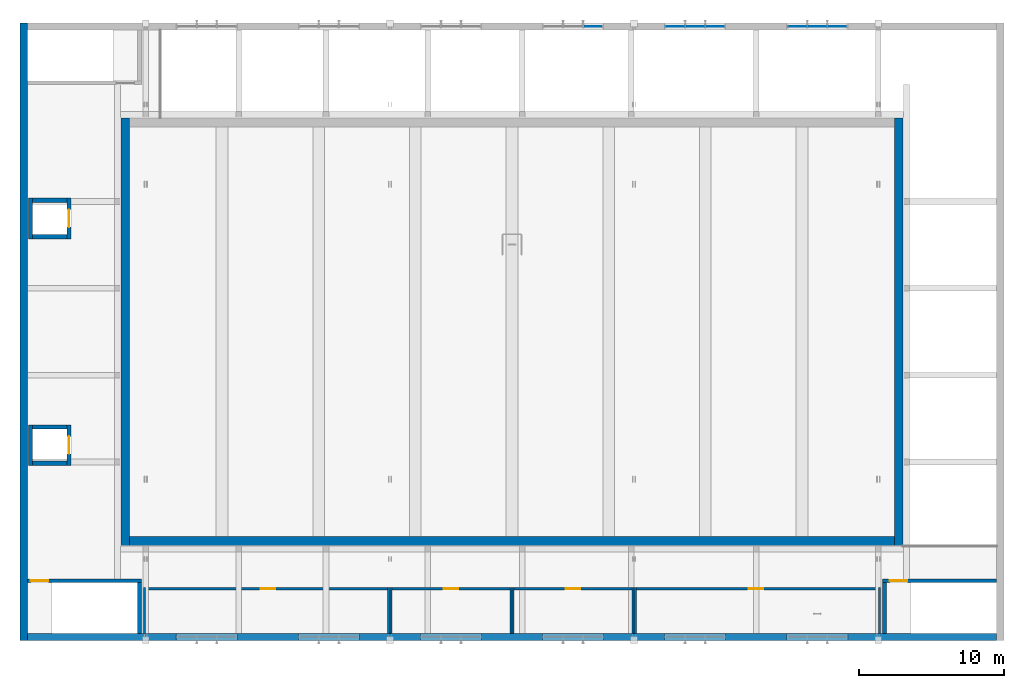
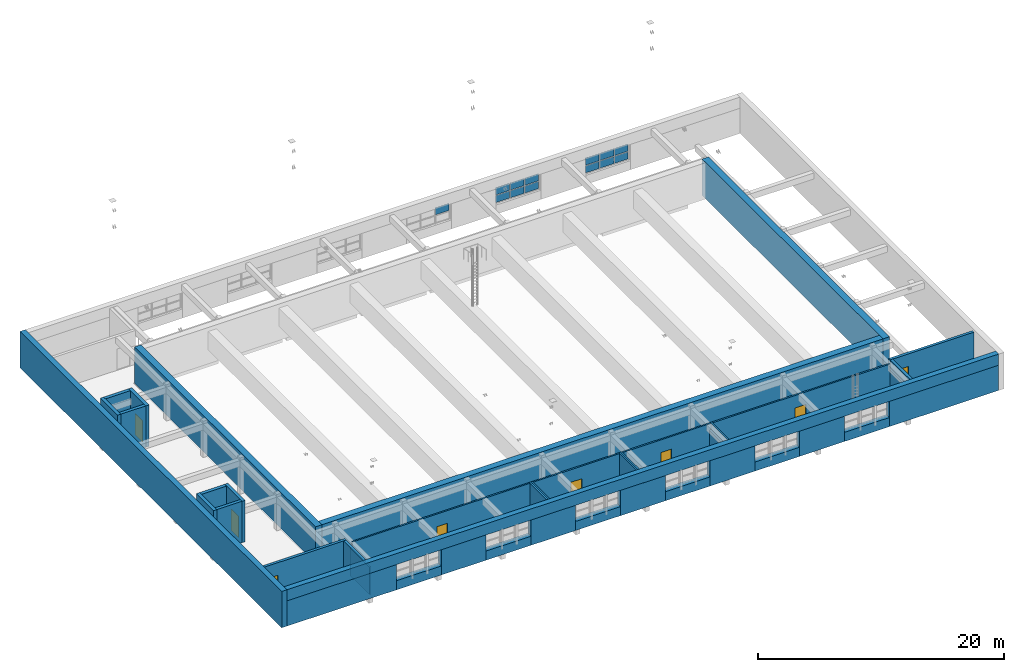
# One storey, part 10 of 28: 42 walls, 13 plates, 8 doors, 8 openings, 3 elements without a shape of their own.
"""IFC4 building model written with IfcOpenShell, lengths in metres."""

from ifc_helpers import new_model, si_unit, direction, frame, frame_2d, origin, origin_2d, place, context, subcontext, project, spatial, rectangle, extrude, material, layer, layer_set, type_object, element, fill, aggregate, save


model = new_model("IFC4")

# Units and contexts
model_context = context("Model", 3, precision=1e-05, world=origin(), true_north=direction((0.0, 1.0)))
body_context = subcontext(model_context, "Body", "Model", "MODEL_VIEW")
ifc_project = project(units=[si_unit("LENGTHUNIT", "METRE"), si_unit("AREAUNIT", "SQUARE_METRE"), si_unit("VOLUMEUNIT", "CUBIC_METRE"), si_unit("PLANEANGLEUNIT", "RADIAN"), si_unit("MASSUNIT", "GRAM", prefix="KILO")], contexts=[model_context])

# Site, building, storey
site_placement = place(None, origin())
site = spatial("IfcSite", under=ifc_project, at=site_placement, CompositionType="ELEMENT")
building_placement = place(site_placement, origin())
building = spatial("IfcBuilding", under=site, at=building_placement, Name="Ljudholm Concert House", CompositionType="ELEMENT")
storey_placement = place(building_placement, frame((0.0, 0.0, 19.199951171875)))
storey = spatial("IfcBuildingStorey", under=building, at=storey_placement, Name="L04", CompositionType="ELEMENT", Elevation=19.199951171875)

# Curtain wall, plate
ifc_material_1 = material(Name="Aluminium curtain wall with impact-rated laminated glass", Category="aluminium")
curtain_wall_type = type_object("IfcCurtainWallType", Name="CURTAIN WALL 1400", PredefinedType="NOTDEFINED", material=ifc_material_1)
curtain_wall_1_placement = place(storey_placement, origin())
curtain_wall_1 = element("IfcCurtainWall", 1, at=curtain_wall_1_placement, inside=storey, type_object=curtain_wall_type, Name="Promenade curtain wall", PredefinedType="NOTDEFINED")
ifc_material_2 = material(Name="Impact-rated laminated glass", Category="glass")
ifc_layer_1 = layer(ifc_material_2, 0.028076171875)
ifc_layer_set_1 = layer_set([ifc_layer_1], Name="Impact-rated laminated glass")
plate_type = type_object("IfcPlateType", Name="CURTAIN PANEL 28", PredefinedType="CURTAIN_PANEL", material=ifc_layer_set_1)
plate_1_placement = place(storey_placement, frame((68.364990234375, 96.39990234375, 1.72998046875), z_axis=(0.0, 0.0, 1.0), x_axis=(1.0, 0.0, 0.0)))
plate_1 = element("IfcPlate", 2, at=plate_1_placement, type_object=plate_type, Name="Curtain wall panel", PredefinedType="CURTAIN_PANEL", context=body_context, shape_type="SweptSolid", body=[
    extrude(rectangle(XDim=1.2900390625, YDim=0.028076171875, at=origin_2d()), origin(), (0.0, 0.0, 1.0), 0.7099609375),
])
aggregate(curtain_wall_1, [plate_1])

# Curtain wall, plates
curtain_wall_2_placement = place(storey_placement, origin())
curtain_wall_2 = element("IfcCurtainWall", 3, at=curtain_wall_2_placement, inside=storey, type_object=curtain_wall_type, Name="Promenade curtain wall", PredefinedType="NOTDEFINED")
plate_2_placement = place(storey_placement, frame((74.034912109375, 96.39990234375, 0.9599609375), z_axis=(0.0, 0.0, 1.0), x_axis=(1.0, 0.0, 0.0)))
plate_2 = element("IfcPlate", 4, at=plate_2_placement, type_object=plate_type, Name="Curtain wall panel", PredefinedType="CURTAIN_PANEL", context=body_context, shape_type="SweptSolid", body=[
    extrude(rectangle(XDim=1.2900390625, YDim=0.028076171875, at=origin_2d()), origin(), (0.0, 0.0, 1.0), 0.7099609375),
])
plate_3_placement = place(storey_placement, frame((74.034912109375, 96.39990234375, 1.72998046875), z_axis=(0.0, 0.0, 1.0), x_axis=(1.0, 0.0, 0.0)))
plate_3 = element("IfcPlate", 5, at=plate_3_placement, type_object=plate_type, Name="Curtain wall panel", PredefinedType="CURTAIN_PANEL", context=body_context, shape_type="SweptSolid", body=[
    extrude(rectangle(XDim=1.2900390625, YDim=0.028076171875, at=origin_2d()), origin(), (0.0, 0.0, 1.0), 0.7099609375),
])
plate_4_placement = place(storey_placement, frame((75.39990234375, 96.39990234375, 0.9599609375), z_axis=(0.0, 0.0, 1.0), x_axis=(1.0, 0.0, 0.0)))
plate_4 = element("IfcPlate", 6, at=plate_4_placement, type_object=plate_type, Name="Curtain wall panel", PredefinedType="CURTAIN_PANEL", context=body_context, shape_type="SweptSolid", body=[
    extrude(rectangle(XDim=1.320068359375, YDim=0.028076171875, at=origin_2d()), origin(), (0.0, 0.0, 1.0), 0.7099609375),
])
plate_5_placement = place(storey_placement, frame((75.39990234375, 96.39990234375, 1.72998046875), z_axis=(0.0, 0.0, 1.0), x_axis=(1.0, 0.0, 0.0)))
plate_5 = element("IfcPlate", 7, at=plate_5_placement, type_object=plate_type, Name="Curtain wall panel", PredefinedType="CURTAIN_PANEL", context=body_context, shape_type="SweptSolid", body=[
    extrude(rectangle(XDim=1.320068359375, YDim=0.028076171875, at=origin_2d()), origin(), (0.0, 0.0, 1.0), 0.7099609375),
])
plate_6_placement = place(storey_placement, frame((76.764892578125, 96.39990234375, 0.9599609375), z_axis=(0.0, 0.0, 1.0), x_axis=(1.0, 0.0, 0.0)))
plate_6 = element("IfcPlate", 8, at=plate_6_placement, type_object=plate_type, Name="Curtain wall panel", PredefinedType="CURTAIN_PANEL", context=body_context, shape_type="SweptSolid", body=[
    extrude(rectangle(XDim=1.2900390625, YDim=0.028076171875, at=origin_2d()), origin(), (0.0, 0.0, 1.0), 0.7099609375),
])
plate_7_placement = place(storey_placement, frame((76.764892578125, 96.39990234375, 1.72998046875), z_axis=(0.0, 0.0, 1.0), x_axis=(1.0, 0.0, 0.0)))
plate_7 = element("IfcPlate", 9, at=plate_7_placement, type_object=plate_type, Name="Curtain wall panel", PredefinedType="CURTAIN_PANEL", context=body_context, shape_type="SweptSolid", body=[
    extrude(rectangle(XDim=1.2900390625, YDim=0.028076171875, at=origin_2d()), origin(), (0.0, 0.0, 1.0), 0.7099609375),
])
aggregate(curtain_wall_2, [plate_2, plate_3, plate_4, plate_5, plate_6, plate_7])

curtain_wall_3_placement = place(storey_placement, origin())
curtain_wall_3 = element("IfcCurtainWall", 10, at=curtain_wall_3_placement, inside=storey, type_object=curtain_wall_type, Name="Promenade curtain wall", PredefinedType="NOTDEFINED")
plate_8_placement = place(storey_placement, frame((82.43505859375, 96.39990234375, 0.9599609375), z_axis=(0.0, 0.0, 1.0), x_axis=(1.0, 0.0, 0.0)))
plate_8 = element("IfcPlate", 11, at=plate_8_placement, type_object=plate_type, Name="Curtain wall panel", PredefinedType="CURTAIN_PANEL", context=body_context, shape_type="SweptSolid", body=[
    extrude(rectangle(XDim=1.2900390625, YDim=0.028076171875, at=origin_2d()), origin(), (0.0, 0.0, 1.0), 0.7099609375),
])
plate_9_placement = place(storey_placement, frame((82.43505859375, 96.39990234375, 1.72998046875), z_axis=(0.0, 0.0, 1.0), x_axis=(1.0, 0.0, 0.0)))
plate_9 = element("IfcPlate", 12, at=plate_9_placement, type_object=plate_type, Name="Curtain wall panel", PredefinedType="CURTAIN_PANEL", context=body_context, shape_type="SweptSolid", body=[
    extrude(rectangle(XDim=1.2900390625, YDim=0.028076171875, at=origin_2d()), origin(), (0.0, 0.0, 1.0), 0.7099609375),
])
plate_10_placement = place(storey_placement, frame((83.800048828125, 96.39990234375, 0.9599609375), z_axis=(0.0, 0.0, 1.0), x_axis=(1.0, 0.0, 0.0)))
plate_10 = element("IfcPlate", 13, at=plate_10_placement, type_object=plate_type, Name="Curtain wall panel", PredefinedType="CURTAIN_PANEL", context=body_context, shape_type="SweptSolid", body=[
    extrude(rectangle(XDim=1.320068359375, YDim=0.028076171875, at=origin_2d()), origin(), (0.0, 0.0, 1.0), 0.7099609375),
])
plate_11_placement = place(storey_placement, frame((83.800048828125, 96.39990234375, 1.72998046875), z_axis=(0.0, 0.0, 1.0), x_axis=(1.0, 0.0, 0.0)))
plate_11 = element("IfcPlate", 14, at=plate_11_placement, type_object=plate_type, Name="Curtain wall panel", PredefinedType="CURTAIN_PANEL", context=body_context, shape_type="SweptSolid", body=[
    extrude(rectangle(XDim=1.320068359375, YDim=0.028076171875, at=origin_2d()), origin(), (0.0, 0.0, 1.0), 0.7099609375),
])
plate_12_placement = place(storey_placement, frame((85.1650390625, 96.39990234375, 0.9599609375), z_axis=(0.0, 0.0, 1.0), x_axis=(1.0, 0.0, 0.0)))
plate_12 = element("IfcPlate", 15, at=plate_12_placement, type_object=plate_type, Name="Curtain wall panel", PredefinedType="CURTAIN_PANEL", context=body_context, shape_type="SweptSolid", body=[
    extrude(rectangle(XDim=1.2900390625, YDim=0.028076171875, at=origin_2d()), origin(), (0.0, 0.0, 1.0), 0.7099609375),
])
plate_13_placement = place(storey_placement, frame((85.1650390625, 96.39990234375, 1.72998046875), z_axis=(0.0, 0.0, 1.0), x_axis=(1.0, 0.0, 0.0)))
plate_13 = element("IfcPlate", 16, at=plate_13_placement, type_object=plate_type, Name="Curtain wall panel", PredefinedType="CURTAIN_PANEL", context=body_context, shape_type="SweptSolid", body=[
    extrude(rectangle(XDim=1.2900390625, YDim=0.028076171875, at=origin_2d()), origin(), (0.0, 0.0, 1.0), 0.7099609375),
])
aggregate(curtain_wall_3, [plate_8, plate_9, plate_10, plate_11, plate_12, plate_13])

# Wall, opening, door
ifc_material_3 = material(Name="Gypsum board on steel studs", Category="steel")
ifc_layer_2 = layer(ifc_material_3, 0.14990234375)
ifc_layer_set_2 = layer_set([ifc_layer_2], Name="Gypsum board on steel studs")
wall_type_1 = type_object("IfcWallType", Name="GYPSUM PARTITION 150", PredefinedType="PARTITIONING", material=ifc_layer_set_2)
wall_1_placement = place(storey_placement, frame((37.60009765625, 57.72509765625, 0.0), z_axis=(0.0, 0.0, 1.0), x_axis=(1.0, 0.0, 0.0)))
wall_1 = element("IfcWall", 17, at=wall_1_placement, inside=storey, type_object=wall_type_1, Name="Upper Foyer Bar partition", PredefinedType="PARTITIONING", context=body_context, shape_type="SweptSolid", body=[
    extrude(rectangle(XDim=16.7998046875, YDim=0.14990234375, at=frame_2d((8.39990234375, 0.0))), origin(), (0.0, 0.0, 1.0), 3.35009765625),
])
opening_1_placement = place(wall_1_placement, frame((7.89990234375, 0.0, 0.0)))
opening_1 = element("IfcOpeningElement", 18, at=opening_1_placement, cuts=wall_1, Name="Opening D-H04-003", PredefinedType="OPENING", context=body_context, shape_type="SweptSolid", body=[
    extrude(rectangle(XDim=1.0, YDim=2.10009765625, at=frame_2d((0.5, 1.050048828125))), frame((0.0, 0.0849609375, 0.0), z_axis=(0.0, -1.0, 0.0), x_axis=(1.0, 0.0, 0.0)), (0.0, 0.0, 1.0), 0.169921875),
])
ifc_material_4 = material(Name="Hollow metal door in steel frame", Category="steel")
door_type_1 = type_object("IfcDoorType", Name="SWING DOOR 1000x2100", OperationType="SINGLE_SWING_LEFT", PredefinedType="DOOR", material=ifc_material_4)
door_1_placement = place(opening_1_placement, origin())
door_1 = element("IfcDoor", 19, at=door_1_placement, inside=storey, type_object=door_type_1, Name="Upper Foyer Bar door", OperationType="SINGLE_SWING_RIGHT", OverallHeight=2.10009765625, OverallWidth=1.0, PredefinedType="DOOR", context=body_context, shape_type="SweptSolid", body=[
    extrude(rectangle(XDim=1.0, YDim=2.10009765625, at=frame_2d((0.5, 1.050048828125))), frame((0.0, 0.02490234375, 0.0), z_axis=(0.0, -1.0, 0.0), x_axis=(1.0, 0.0, 0.0)), (0.0, 0.0, 1.0), 0.050048828125),
])
fill(opening_1, door_1)

# Walls
wall_2_placement = place(storey_placement, frame((37.52490234375, 54.64990234375, 0.0), z_axis=(0.0, 0.0, 1.0), x_axis=(0.0, 1.0, 0.0)))
element("IfcWall", 20, at=wall_2_placement, inside=storey, type_object=wall_type_1, Name="Upper Foyer Bar partition", PredefinedType="PARTITIONING", context=body_context, shape_type="SweptSolid", body=[
    extrude(rectangle(XDim=3.150146484375, YDim=0.14990234375, at=frame_2d((1.5751953125, 0.0))), origin(), (0.0, 0.0, 1.0), 2.75),
])
wall_3_placement = place(storey_placement, frame((54.47509765625, 54.64990234375, 0.0), z_axis=(0.0, 0.0, 1.0), x_axis=(0.0, 1.0, 0.0)))
element("IfcWall", 21, at=wall_3_placement, inside=storey, type_object=wall_type_1, Name="Upper Foyer Bar partition", PredefinedType="PARTITIONING", context=body_context, shape_type="SweptSolid", body=[
    extrude(rectangle(XDim=3.150146484375, YDim=0.14990234375, at=frame_2d((1.5751953125, 0.0))), origin(), (0.0, 0.0, 1.0), 3.35009765625),
])

# Wall, opening, door
wall_4_placement = place(storey_placement, frame((54.39990234375, 57.72509765625, 0.0), z_axis=(0.0, 0.0, 1.0), x_axis=(1.0, 0.0, 0.0)))
wall_4 = element("IfcWall", 22, at=wall_4_placement, inside=storey, type_object=wall_type_1, Name="Sound Control Room partition", PredefinedType="PARTITIONING", context=body_context, shape_type="SweptSolid", body=[
    extrude(rectangle(XDim=8.400146484375, YDim=0.14990234375, at=frame_2d((4.2001953125, 0.0))), origin(), (0.0, 0.0, 1.0), 3.35009765625),
])
opening_2_placement = place(wall_4_placement, frame((3.699951171875, 0.0, 0.0)))
opening_2 = element("IfcOpeningElement", 23, at=opening_2_placement, cuts=wall_4, Name="Opening D-H04-004", PredefinedType="OPENING", context=body_context, shape_type="SweptSolid", body=[
    extrude(rectangle(XDim=1.0, YDim=2.10009765625, at=frame_2d((0.5, 1.050048828125))), frame((0.0, 0.0849609375, 0.0), z_axis=(0.0, -1.0, 0.0), x_axis=(1.0, 0.0, 0.0)), (0.0, 0.0, 1.0), 0.169921875),
])
door_2_placement = place(opening_2_placement, frame((1.0, 0.0, 0.0), z_axis=(0.0, 0.0, 1.0), x_axis=(-1.0, 0.0, 0.0)))
door_2 = element("IfcDoor", 24, at=door_2_placement, inside=storey, type_object=door_type_1, Name="Sound Control Room door", OperationType="SINGLE_SWING_RIGHT", OverallHeight=2.10009765625, OverallWidth=1.0, PredefinedType="DOOR", context=body_context, shape_type="SweptSolid", body=[
    extrude(rectangle(XDim=1.0, YDim=2.10009765625, at=frame_2d((0.5, 1.050048828125))), frame((0.0, 0.02490234375, 0.0), z_axis=(0.0, -1.0, 0.0), x_axis=(1.0, 0.0, 0.0)), (0.0, 0.0, 1.0), 0.050048828125),
])
fill(opening_2, door_2)

# Walls
for number, where, z_axis, x_axis, name in (
    (25, (54.324951171875, 54.64990234375, 0.0), (0.0, 0.0, 1.0), (0.0, 1.0, 0.0), "Sound Control Room partition"),
    (26, (62.875, 54.64990234375, 0.0), (0.0, 0.0, 1.0), (0.0, 1.0, 0.0), "Sound Control Room partition"),
):
    element("IfcWall", number, at=place(storey_placement, frame(where, z_axis=z_axis, x_axis=x_axis)), inside=storey, type_object=wall_type_1, Name=name, PredefinedType="PARTITIONING", context=body_context, shape_type="SweptSolid", body=[
        extrude(rectangle(XDim=3.150146484375, YDim=0.14990234375, at=frame_2d((1.5751953125, 0.0))), origin(), (0.0, 0.0, 1.0), 3.35009765625),
    ])

# Wall, opening, door
wall_5_placement = place(storey_placement, frame((62.800048828125, 57.72509765625, 0.0), z_axis=(0.0, 0.0, 1.0), x_axis=(1.0, 0.0, 0.0)))
wall_5 = element("IfcWall", 27, at=wall_5_placement, inside=storey, type_object=wall_type_1, Name="Lighting Control Room partition", PredefinedType="PARTITIONING", context=body_context, shape_type="SweptSolid", body=[
    extrude(rectangle(XDim=8.39990234375, YDim=0.14990234375, at=frame_2d((4.199951171875, 0.0))), origin(), (0.0, 0.0, 1.0), 3.35009765625),
])
opening_3_placement = place(wall_5_placement, frame((3.699951171875, 0.0, 0.0)))
opening_3 = element("IfcOpeningElement", 28, at=opening_3_placement, cuts=wall_5, Name="Opening D-H04-005", PredefinedType="OPENING", context=body_context, shape_type="SweptSolid", body=[
    extrude(rectangle(XDim=1.0, YDim=2.10009765625, at=frame_2d((0.5, 1.050048828125))), frame((0.0, 0.0849609375, 0.0), z_axis=(0.0, -1.0, 0.0), x_axis=(1.0, 0.0, 0.0)), (0.0, 0.0, 1.0), 0.169921875),
])
door_3_placement = place(opening_3_placement, frame((1.0, 0.0, 0.0), z_axis=(0.0, 0.0, 1.0), x_axis=(-1.0, 0.0, 0.0)))
door_3 = element("IfcDoor", 29, at=door_3_placement, inside=storey, type_object=door_type_1, Name="Lighting Control Room door", OperationType="SINGLE_SWING_LEFT", OverallHeight=2.10009765625, OverallWidth=1.0, PredefinedType="DOOR", context=body_context, shape_type="SweptSolid", body=[
    extrude(rectangle(XDim=1.0, YDim=2.10009765625, at=frame_2d((0.5, 1.050048828125))), frame((0.0, 0.02490234375, 0.0), z_axis=(0.0, -1.0, 0.0), x_axis=(1.0, 0.0, 0.0)), (0.0, 0.0, 1.0), 0.050048828125),
])
fill(opening_3, door_3)

# Walls
for number, where, z_axis, x_axis, name in (
    (30, (62.72509765625, 54.64990234375, 0.0), (0.0, 0.0, 1.0), (0.0, 1.0, 0.0), "Lighting Control Room partition"),
    (31, (71.27490234375, 54.64990234375, 0.0), (0.0, 0.0, 1.0), (0.0, 1.0, 0.0), "Lighting Control Room partition"),
):
    element("IfcWall", number, at=place(storey_placement, frame(where, z_axis=z_axis, x_axis=x_axis)), inside=storey, type_object=wall_type_1, Name=name, PredefinedType="PARTITIONING", context=body_context, shape_type="SweptSolid", body=[
        extrude(rectangle(XDim=3.150146484375, YDim=0.14990234375, at=frame_2d((1.5751953125, 0.0))), origin(), (0.0, 0.0, 1.0), 3.35009765625),
    ])

# Wall, opening, door
wall_6_placement = place(storey_placement, frame((71.199951171875, 57.72509765625, 0.0), z_axis=(0.0, 0.0, 1.0), x_axis=(1.0, 0.0, 0.0)))
wall_6 = element("IfcWall", 32, at=wall_6_placement, inside=storey, type_object=wall_type_1, Name="Acoustic Plant Room partition", PredefinedType="PARTITIONING", context=body_context, shape_type="SweptSolid", body=[
    extrude(rectangle(XDim=16.800048828125, YDim=0.14990234375, at=frame_2d((8.39990234375, 0.0))), origin(), (0.0, 0.0, 1.0), 3.35009765625),
])
opening_4_placement = place(wall_6_placement, frame((7.89990234375, 0.0, 0.0)))
opening_4 = element("IfcOpeningElement", 33, at=opening_4_placement, cuts=wall_6, Name="Opening D-H04-006", PredefinedType="OPENING", context=body_context, shape_type="SweptSolid", body=[
    extrude(rectangle(XDim=1.0, YDim=2.10009765625, at=frame_2d((0.5, 1.050048828125))), frame((0.0, 0.0849609375, 0.0), z_axis=(0.0, -1.0, 0.0), x_axis=(1.0, 0.0, 0.0)), (0.0, 0.0, 1.0), 0.169921875),
])
door_4_placement = place(opening_4_placement, frame((1.0, 0.0, 0.0), z_axis=(0.0, 0.0, 1.0), x_axis=(-1.0, 0.0, 0.0)))
door_4 = element("IfcDoor", 34, at=door_4_placement, inside=storey, type_object=door_type_1, Name="Acoustic Plant Room door", OperationType="SINGLE_SWING_LEFT", OverallHeight=2.10009765625, OverallWidth=1.0, PredefinedType="DOOR", context=body_context, shape_type="SweptSolid", body=[
    extrude(rectangle(XDim=1.0, YDim=2.10009765625, at=frame_2d((0.5, 1.050048828125))), frame((0.0, 0.02490234375, 0.0), z_axis=(0.0, -1.0, 0.0), x_axis=(1.0, 0.0, 0.0)), (0.0, 0.0, 1.0), 0.050048828125),
])
fill(opening_4, door_4)

# Walls
for number, where, z_axis, x_axis, name in (
    (35, (71.125, 54.64990234375, 0.0), (0.0, 0.0, 1.0), (0.0, 1.0, 0.0), "Acoustic Plant Room partition"),
    (36, (88.074951171875, 54.64990234375, 0.0), (0.0, 0.0, 1.0), (0.0, 1.0, 0.0), "Acoustic Plant Room partition"),
):
    element("IfcWall", number, at=place(storey_placement, frame(where, z_axis=z_axis, x_axis=x_axis)), inside=storey, type_object=wall_type_1, Name=name, PredefinedType="PARTITIONING", context=body_context, shape_type="SweptSolid", body=[
        extrude(rectangle(XDim=3.150146484375, YDim=0.14990234375, at=frame_2d((1.5751953125, 0.0))), origin(), (0.0, 0.0, 1.0), 2.75),
    ])

# Wall, opening, door
ifc_material_5 = material(Name="Concrete 6,500 psi", Category="concrete")
ifc_layer_3 = layer(ifc_material_5, 0.25)
ifc_layer_set_3 = layer_set([ifc_layer_3], Name="Concrete 6,500 psi")
wall_type_2 = type_object("IfcWallType", Name="RC WALL 250", PredefinedType="SOLIDWALL", material=ifc_layer_set_3)
wall_7_placement = place(storey_placement, frame((29.449951171875, 58.27490234375, 0.0), z_axis=(0.0, 0.0, 1.0), x_axis=(1.0, 0.0, 0.0)))
wall_7 = element("IfcWall", 37, at=wall_7_placement, inside=storey, type_object=wall_type_2, Name="Stair enclosure wall EH1", PredefinedType="SOLIDWALL", context=body_context, shape_type="SweptSolid", body=[
    extrude(rectangle(XDim=7.85009765625, YDim=0.25, at=frame_2d((3.925048828125, 0.0))), origin(), (0.0, 0.0, 1.0), 3.35009765625),
])
opening_5_placement = place(wall_7_placement, frame((0.25, 0.0, 0.0)))
opening_5 = element("IfcOpeningElement", 38, at=opening_5_placement, cuts=wall_7, Name="Opening D-H04-007", PredefinedType="OPENING", context=body_context, shape_type="SweptSolid", body=[
    extrude(rectangle(XDim=1.199951171875, YDim=2.10009765625, at=frame_2d((0.60009765625, 1.050048828125))), frame((0.0, 0.135009765625, 0.0), z_axis=(0.0, -1.0, 0.0), x_axis=(1.0, 0.0, 0.0)), (0.0, 0.0, 1.0), 0.27001953125),
])
ifc_material_6 = material(Name="Hollow metal door in steel frame", Category="steel")
door_type_2 = type_object("IfcDoorType", Name="SWING DOOR 1200x2100", OperationType="SINGLE_SWING_LEFT", PredefinedType="DOOR", material=ifc_material_6)
door_5_placement = place(opening_5_placement, frame((1.199951171875, 0.0, 0.0), z_axis=(0.0, 0.0, 1.0), x_axis=(-1.0, 0.0, 0.0)))
door_5 = element("IfcDoor", 39, at=door_5_placement, inside=storey, type_object=door_type_2, Name="Exit stair EH1 door", OperationType="SINGLE_SWING_RIGHT", OverallHeight=2.10009765625, OverallWidth=1.199951171875, PredefinedType="DOOR", context=body_context, shape_type="SweptSolid", body=[
    extrude(rectangle(XDim=1.199951171875, YDim=2.10009765625, at=frame_2d((0.60009765625, 1.050048828125))), frame((0.0, 0.02490234375, 0.0), z_axis=(0.0, -1.0, 0.0), x_axis=(1.0, 0.0, 0.0)), (0.0, 0.0, 1.0), 0.050048828125),
])
fill(opening_5, door_5)

# Wall
wall_8_placement = place(storey_placement, frame((37.175048828125, 54.64990234375, 0.0), z_axis=(0.0, 0.0, 1.0), x_axis=(0.0, 1.0, 0.0)))
element("IfcWall", 40, at=wall_8_placement, inside=storey, type_object=wall_type_2, Name="Stair enclosure wall EH1", PredefinedType="SOLIDWALL", context=body_context, shape_type="SweptSolid", body=[
    extrude(rectangle(XDim=3.5, YDim=0.25, at=frame_2d((1.75, 0.0))), origin(), (0.0, 0.0, 1.0), 3.35009765625),
])

# Wall, opening, door
wall_9_placement = place(storey_placement, frame((88.300048828125, 58.27490234375, 0.0), z_axis=(0.0, 0.0, 1.0), x_axis=(1.0, 0.0, 0.0)))
wall_9 = element("IfcWall", 41, at=wall_9_placement, inside=storey, type_object=wall_type_2, Name="Stair enclosure wall EH3", PredefinedType="SOLIDWALL", context=body_context, shape_type="SweptSolid", body=[
    extrude(rectangle(XDim=7.849853515625, YDim=0.25, at=frame_2d((3.9248046875, 0.0))), origin(), (0.0, 0.0, 1.0), 3.35009765625),
])
opening_6_placement = place(wall_9_placement, frame((0.5, 0.0, 0.0)))
opening_6 = element("IfcOpeningElement", 42, at=opening_6_placement, cuts=wall_9, Name="Opening D-H04-009", PredefinedType="OPENING", context=body_context, shape_type="SweptSolid", body=[
    extrude(rectangle(XDim=1.199951171875, YDim=2.10009765625, at=frame_2d((0.60009765625, 1.050048828125))), frame((0.0, 0.135009765625, 0.0), z_axis=(0.0, -1.0, 0.0), x_axis=(1.0, 0.0, 0.0)), (0.0, 0.0, 1.0), 0.27001953125),
])
door_6_placement = place(opening_6_placement, frame((1.199951171875, 0.0, 0.0), z_axis=(0.0, 0.0, 1.0), x_axis=(-1.0, 0.0, 0.0)))
door_6 = element("IfcDoor", 43, at=door_6_placement, inside=storey, type_object=door_type_2, Name="Exit stair EH3 door", OperationType="SINGLE_SWING_RIGHT", OverallHeight=2.10009765625, OverallWidth=1.199951171875, PredefinedType="DOOR", context=body_context, shape_type="SweptSolid", body=[
    extrude(rectangle(XDim=1.199951171875, YDim=2.10009765625, at=frame_2d((0.60009765625, 1.050048828125))), frame((0.0, 0.02490234375, 0.0), z_axis=(0.0, -1.0, 0.0), x_axis=(1.0, 0.0, 0.0)), (0.0, 0.0, 1.0), 0.050048828125),
])
fill(opening_6, door_6)

# Walls
wall_10_placement = place(storey_placement, frame((88.425048828125, 54.64990234375, 0.0), z_axis=(0.0, 0.0, 1.0), x_axis=(0.0, 1.0, 0.0)))
element("IfcWall", 44, at=wall_10_placement, inside=storey, type_object=wall_type_2, Name="Stair enclosure wall EH3", PredefinedType="SOLIDWALL", context=body_context, shape_type="SweptSolid", body=[
    extrude(rectangle(XDim=3.5, YDim=0.25, at=frame_2d((1.75, 0.0))), origin(), (0.0, 0.0, 1.0), 3.35009765625),
])
ifc_material_7 = material(Name="Concrete 6,500 psi", Category="concrete")
ifc_layer_4 = layer(ifc_material_7, 0.300048828125)
ifc_layer_set_4 = layer_set([ifc_layer_4], Name="Concrete 6,500 psi")
wall_type_3 = type_object("IfcWallType", Name="RC WALL 300", PredefinedType="SOLIDWALL", material=ifc_layer_set_4)
wall_11_placement = place(storey_placement, frame((29.675048828125, 66.199951171875, 0.0), z_axis=(0.0, 0.0, 1.0), x_axis=(0.0, 1.0, 0.0)))
element("IfcWall", 45, at=wall_11_placement, inside=storey, type_object=wall_type_3, Name="Lift shaft wall", PredefinedType="SOLIDWALL", context=body_context, shape_type="SweptSolid", body=[
    extrude(rectangle(XDim=2.800048828125, YDim=0.300048828125, at=frame_2d((1.39990234375, 0.0))), origin(), (0.0, 0.0, 1.0), 4.10009765625),
])

# Wall, opening, door
wall_12_placement = place(storey_placement, frame((32.324951171875, 66.199951171875, 0.0), z_axis=(0.0, 0.0, 1.0), x_axis=(0.0, 1.0, 0.0)))
wall_12 = element("IfcWall", 46, at=wall_12_placement, inside=storey, type_object=wall_type_3, Name="Lift shaft wall", PredefinedType="SOLIDWALL", context=body_context, shape_type="SweptSolid", body=[
    extrude(rectangle(XDim=2.800048828125, YDim=0.300048828125, at=frame_2d((1.39990234375, 0.0))), origin(), (0.0, 0.0, 1.0), 4.10009765625),
])
opening_7_placement = place(wall_12_placement, frame((0.800048828125, 0.0, 0.0)))
opening_7 = element("IfcOpeningElement", 47, at=opening_7_placement, cuts=wall_12, Name="Opening LD-H04-001", PredefinedType="OPENING", context=body_context, shape_type="SweptSolid", body=[
    extrude(rectangle(XDim=1.199951171875, YDim=2.10009765625, at=frame_2d((0.60009765625, 1.050048828125))), frame((0.0, 0.159912109375, 0.0), z_axis=(0.0, -1.0, 0.0), x_axis=(1.0, 0.0, 0.0)), (0.0, 0.0, 1.0), 0.320068359375),
])
ifc_material_8 = material(Name="Stainless steel sliding landing door, fire-rated", Category="steel")
door_type_3 = type_object("IfcDoorType", Name="LIFT DOOR 1200x2100", OperationType="SLIDING_TO_LEFT", PredefinedType="DOOR", material=ifc_material_8)
door_7_placement = place(opening_7_placement, origin())
door_7 = element("IfcDoor", 48, at=door_7_placement, inside=storey, type_object=door_type_3, Name="Lift landing door", OperationType="SLIDING_TO_LEFT", OverallHeight=2.10009765625, OverallWidth=1.199951171875, PredefinedType="DOOR", context=body_context, shape_type="SweptSolid", body=[
    extrude(rectangle(XDim=1.199951171875, YDim=2.10009765625, at=frame_2d((0.60009765625, 1.050048828125))), frame((0.0, 0.02490234375, 0.0), z_axis=(0.0, -1.0, 0.0), x_axis=(1.0, 0.0, 0.0)), (0.0, 0.0, 1.0), 0.050048828125),
])
fill(opening_7, door_7)

# Walls
for number, where, z_axis, x_axis, name in (
    (49, (29.824951171875, 66.35009765625, 0.0), (0.0, 0.0, 1.0), (1.0, 0.0, 0.0), "Lift shaft wall"),
    (50, (29.824951171875, 68.85009765625, 0.0), (0.0, 0.0, 1.0), (1.0, 0.0, 0.0), "Lift shaft wall"),
):
    element("IfcWall", number, at=place(storey_placement, frame(where, z_axis=z_axis, x_axis=x_axis)), inside=storey, type_object=wall_type_3, Name=name, PredefinedType="SOLIDWALL", context=body_context, shape_type="SweptSolid", body=[
        extrude(rectangle(XDim=2.35009765625, YDim=0.300048828125, at=frame_2d((1.175048828125, 0.0))), origin(), (0.0, 0.0, 1.0), 4.10009765625),
    ])
wall_13_placement = place(storey_placement, frame((29.675048828125, 81.800048828125, 0.0), z_axis=(0.0, 0.0, 1.0), x_axis=(0.0, 1.0, 0.0)))
element("IfcWall", 51, at=wall_13_placement, inside=storey, type_object=wall_type_3, Name="Lift shaft wall", PredefinedType="SOLIDWALL", context=body_context, shape_type="SweptSolid", body=[
    extrude(rectangle(XDim=2.800048828125, YDim=0.300048828125, at=frame_2d((1.39990234375, 0.0))), origin(), (0.0, 0.0, 1.0), 4.10009765625),
])

# Wall, opening, door
wall_14_placement = place(storey_placement, frame((32.324951171875, 81.800048828125, 0.0), z_axis=(0.0, 0.0, 1.0), x_axis=(0.0, 1.0, 0.0)))
wall_14 = element("IfcWall", 52, at=wall_14_placement, inside=storey, type_object=wall_type_3, Name="Lift shaft wall", PredefinedType="SOLIDWALL", context=body_context, shape_type="SweptSolid", body=[
    extrude(rectangle(XDim=2.800048828125, YDim=0.300048828125, at=frame_2d((1.39990234375, 0.0))), origin(), (0.0, 0.0, 1.0), 4.10009765625),
])
opening_8_placement = place(wall_14_placement, frame((0.800048828125, 0.0, 0.0)))
opening_8 = element("IfcOpeningElement", 53, at=opening_8_placement, cuts=wall_14, Name="Opening LD-H04-002", PredefinedType="OPENING", context=body_context, shape_type="SweptSolid", body=[
    extrude(rectangle(XDim=1.199951171875, YDim=2.10009765625, at=frame_2d((0.60009765625, 1.050048828125))), frame((0.0, 0.159912109375, 0.0), z_axis=(0.0, -1.0, 0.0), x_axis=(1.0, 0.0, 0.0)), (0.0, 0.0, 1.0), 0.320068359375),
])
door_8_placement = place(opening_8_placement, origin())
door_8 = element("IfcDoor", 54, at=door_8_placement, inside=storey, type_object=door_type_3, Name="Lift landing door", OperationType="SLIDING_TO_LEFT", OverallHeight=2.10009765625, OverallWidth=1.199951171875, PredefinedType="DOOR", context=body_context, shape_type="SweptSolid", body=[
    extrude(rectangle(XDim=1.199951171875, YDim=2.10009765625, at=frame_2d((0.60009765625, 1.050048828125))), frame((0.0, 0.02490234375, 0.0), z_axis=(0.0, -1.0, 0.0), x_axis=(1.0, 0.0, 0.0)), (0.0, 0.0, 1.0), 0.050048828125),
])
fill(opening_8, door_8)

# Walls
for number, where, z_axis, x_axis, name in (
    (55, (29.824951171875, 81.949951171875, 0.0), (0.0, 0.0, 1.0), (1.0, 0.0, 0.0), "Lift shaft wall"),
    (56, (29.824951171875, 84.449951171875, 0.0), (0.0, 0.0, 1.0), (1.0, 0.0, 0.0), "Lift shaft wall"),
):
    element("IfcWall", number, at=place(storey_placement, frame(where, z_axis=z_axis, x_axis=x_axis)), inside=storey, type_object=wall_type_3, Name=name, PredefinedType="SOLIDWALL", context=body_context, shape_type="SweptSolid", body=[
        extrude(rectangle(XDim=2.35009765625, YDim=0.300048828125, at=frame_2d((1.175048828125, 0.0))), origin(), (0.0, 0.0, 1.0), 4.10009765625),
    ])
ifc_material_9 = material(Name="Concrete 6,500 psi", Category="concrete")
ifc_layer_5 = layer(ifc_material_9, 0.5)
ifc_layer_set_5 = layer_set([ifc_layer_5], Name="Concrete 6,500 psi")
wall_type_4 = type_object("IfcWallType", Name="RC WALL 500", PredefinedType="SOLIDWALL", material=ifc_layer_set_5)
wall_15_placement = place(storey_placement, frame((29.199951171875, 54.14990234375, 0.0), z_axis=(0.0, 0.0, 1.0), x_axis=(0.0, 1.0, 0.0)))
element("IfcWall", 57, at=wall_15_placement, inside=storey, type_object=wall_type_4, Name="Outer wall W", PredefinedType="SOLIDWALL", context=body_context, shape_type="SweptSolid", body=[
    extrude(rectangle(XDim=42.5, YDim=0.5, at=frame_2d((21.25, 0.0))), origin(), (0.0, 0.0, 1.0), 3.60009765625),
])
wall_16_placement = place(storey_placement, frame((29.449951171875, 54.39990234375, 0.0), z_axis=(0.0, 0.0, 1.0), x_axis=(1.0, 0.0, 0.0)))
element("IfcWall", 58, at=wall_16_placement, inside=storey, type_object=wall_type_4, Name="Outer wall S", PredefinedType="SOLIDWALL", context=body_context, shape_type="SweptSolid", body=[
    extrude(rectangle(XDim=10.25, YDim=0.5, at=frame_2d((5.125, 0.0))), origin(), (0.0, 0.0, 1.0), 2.5),
])
wall_17_placement = place(storey_placement, frame((43.89990234375, 54.39990234375, 0.0), z_axis=(0.0, 0.0, 1.0), x_axis=(1.0, 0.0, 0.0)))
element("IfcWall", 59, at=wall_17_placement, inside=storey, type_object=wall_type_4, Name="Outer wall S", PredefinedType="SOLIDWALL", context=body_context, shape_type="SweptSolid", body=[
    extrude(rectangle(XDim=4.2001953125, YDim=0.5, at=frame_2d((2.10009765625, 0.0))), origin(), (0.0, 0.0, 1.0), 2.5),
])
for number, where, z_axis, x_axis, name in (
    (60, (52.300048828125, 54.39990234375, 0.0), (0.0, 0.0, 1.0), (1.0, 0.0, 0.0), "Outer wall S"),
    (61, (60.699951171875, 54.39990234375, 0.0), (0.0, 0.0, 1.0), (1.0, 0.0, 0.0), "Outer wall S"),
    (62, (69.10009765625, 54.39990234375, 0.0), (0.0, 0.0, 1.0), (1.0, 0.0, 0.0), "Outer wall S"),
    (63, (77.5, 54.39990234375, 0.0), (0.0, 0.0, 1.0), (1.0, 0.0, 0.0), "Outer wall S"),
):
    element("IfcWall", number, at=place(storey_placement, frame(where, z_axis=z_axis, x_axis=x_axis)), inside=storey, type_object=wall_type_4, Name=name, PredefinedType="SOLIDWALL", context=body_context, shape_type="SweptSolid", body=[
        extrude(rectangle(XDim=4.199951171875, YDim=0.5, at=frame_2d((2.10009765625, 0.0))), origin(), (0.0, 0.0, 1.0), 2.5),
    ])
wall_18_placement = place(storey_placement, frame((85.89990234375, 54.39990234375, 0.0), z_axis=(0.0, 0.0, 1.0), x_axis=(1.0, 0.0, 0.0)))
element("IfcWall", 64, at=wall_18_placement, inside=storey, type_object=wall_type_4, Name="Outer wall S", PredefinedType="SOLIDWALL", context=body_context, shape_type="SweptSolid", body=[
    extrude(rectangle(XDim=10.25, YDim=0.5, at=frame_2d((5.125, 0.0))), origin(), (0.0, 0.0, 1.0), 2.5),
])
for number, where, z_axis, x_axis, name in (
    (65, (39.699951171875, 54.39990234375, 0.0), (0.0, 0.0, 1.0), (1.0, 0.0, 0.0), "Outer wall S"),
    (66, (48.10009765625, 54.39990234375, 0.0), (0.0, 0.0, 1.0), (1.0, 0.0, 0.0), "Outer wall S"),
    (67, (56.5, 54.39990234375, 0.0), (0.0, 0.0, 1.0), (1.0, 0.0, 0.0), "Outer wall S"),
):
    element("IfcWall", number, at=place(storey_placement, frame(where, z_axis=z_axis, x_axis=x_axis)), inside=storey, type_object=wall_type_4, Name=name, PredefinedType="SOLIDWALL", context=body_context, shape_type="SweptSolid", body=[
        extrude(rectangle(XDim=4.199951171875, YDim=0.5, at=frame_2d((2.10009765625, 0.0))), origin(), (0.0, 0.0, 1.0), 0.900146484375),
    ])
wall_19_placement = place(storey_placement, frame((64.89990234375, 54.39990234375, 0.0), z_axis=(0.0, 0.0, 1.0), x_axis=(1.0, 0.0, 0.0)))
element("IfcWall", 68, at=wall_19_placement, inside=storey, type_object=wall_type_4, Name="Outer wall S", PredefinedType="SOLIDWALL", context=body_context, shape_type="SweptSolid", body=[
    extrude(rectangle(XDim=4.2001953125, YDim=0.5, at=frame_2d((2.10009765625, 0.0))), origin(), (0.0, 0.0, 1.0), 0.900146484375),
])
for number, where, z_axis, x_axis, name in (
    (69, (73.300048828125, 54.39990234375, 0.0), (0.0, 0.0, 1.0), (1.0, 0.0, 0.0), "Outer wall S"),
    (70, (81.699951171875, 54.39990234375, 0.0), (0.0, 0.0, 1.0), (1.0, 0.0, 0.0), "Outer wall S"),
):
    element("IfcWall", number, at=place(storey_placement, frame(where, z_axis=z_axis, x_axis=x_axis)), inside=storey, type_object=wall_type_4, Name=name, PredefinedType="SOLIDWALL", context=body_context, shape_type="SweptSolid", body=[
        extrude(rectangle(XDim=4.199951171875, YDim=0.5, at=frame_2d((2.10009765625, 0.0))), origin(), (0.0, 0.0, 1.0), 0.900146484375),
    ])
wall_20_placement = place(storey_placement, frame((29.449951171875, 54.39990234375, 2.5), z_axis=(0.0, 0.0, 1.0), x_axis=(1.0, 0.0, 0.0)))
element("IfcWall", 71, at=wall_20_placement, inside=storey, type_object=wall_type_4, Name="Outer wall S", PredefinedType="SOLIDWALL", context=body_context, shape_type="SweptSolid", body=[
    extrude(rectangle(XDim=66.699951171875, YDim=0.5, at=frame_2d((33.35009765625, 0.0))), origin(), (0.0, 0.0, 1.0), 1.10009765625),
])
ifc_material_10 = material(Name="Concrete 6,500 psi", Category="concrete")
ifc_layer_6 = layer(ifc_material_10, 0.60009765625)
ifc_layer_set_6 = layer_set([ifc_layer_6], Name="Concrete 6,500 psi")
wall_type_5 = type_object("IfcWallType", Name="RC WALL 600", PredefinedType="SOLIDWALL", material=ifc_layer_set_6)
for number, where, z_axis, x_axis, name in (
    (72, (36.199951171875, 60.699951171875, 0.0), (0.0, 0.0, 1.0), (0.0, 1.0, 0.0), "Inner box wall W"),
    (73, (89.39990234375, 60.699951171875, 0.0), (0.0, 0.0, 1.0), (0.0, 1.0, 0.0), "Inner box wall E"),
):
    element("IfcWall", number, at=place(storey_placement, frame(where, z_axis=z_axis, x_axis=x_axis)), inside=storey, type_object=wall_type_5, Name=name, PredefinedType="SOLIDWALL", context=body_context, shape_type="SweptSolid", body=[
        extrude(rectangle(XDim=29.400146484375, YDim=0.60009765625, at=frame_2d((14.7001953125, 0.0))), origin(), (0.0, 0.0, 1.0), 3.60009765625),
    ])
wall_21_placement = place(storey_placement, frame((36.5, 61.0, 0.0), z_axis=(0.0, 0.0, 1.0), x_axis=(1.0, 0.0, 0.0)))
element("IfcWall", 74, at=wall_21_placement, inside=storey, type_object=wall_type_5, Name="Inner box wall S", PredefinedType="SOLIDWALL", context=body_context, shape_type="SweptSolid", body=[
    extrude(rectangle(XDim=52.60009765625, YDim=0.60009765625, at=frame_2d((26.300048828125, 0.0))), origin(), (0.0, 0.0, 1.0), 3.60009765625),
])

save(model, "model.ifc")
